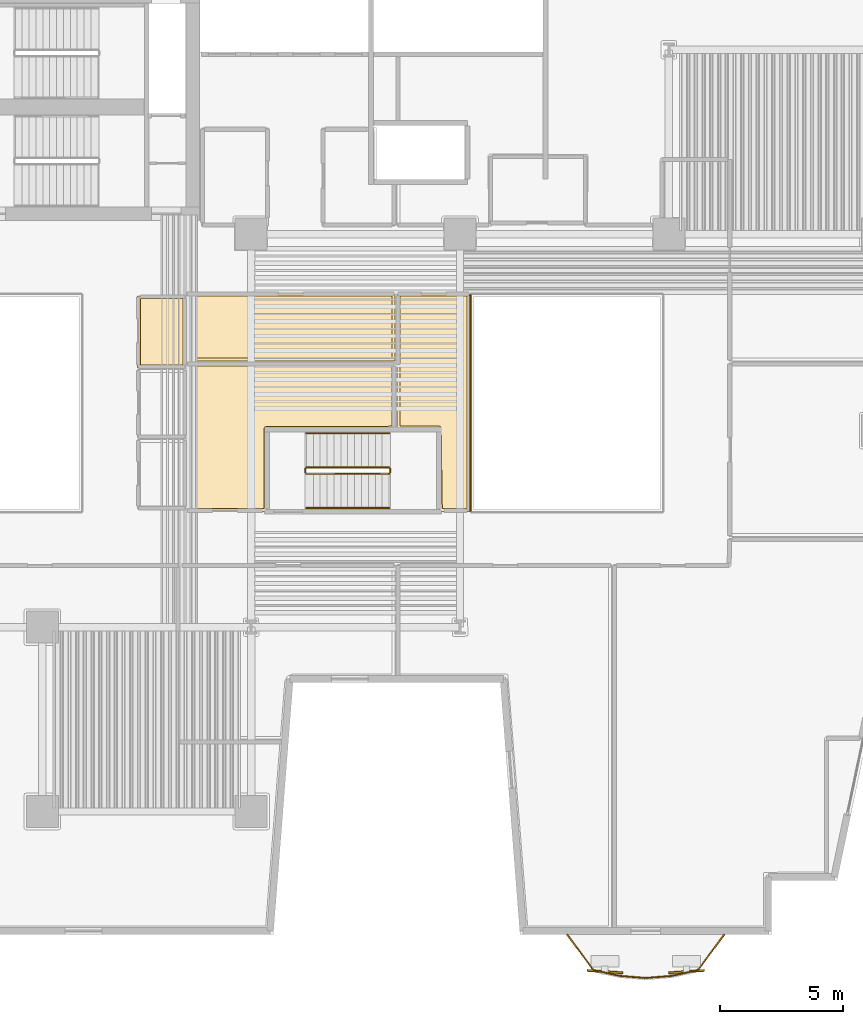
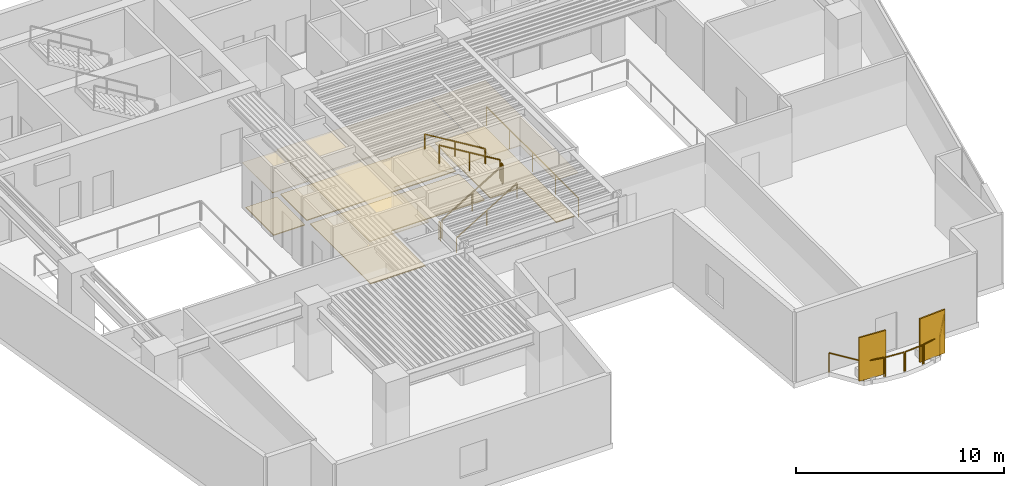
# One storey, part 8 of 11: 13 railings, 8 coverings, 2 shading devices.
"""IFC4 building model written with IfcOpenShell, lengths in metres."""

from ifc_helpers import new_model, si_unit, direction, frame, origin, origin_2d, place, context, subcontext, project, spatial, polyline, rectangle, outline, extrude, material, layer, layer_set, type_object, element, save


model = new_model("IFC4")

# Units and contexts
model_context = context("Model", 3, precision=1e-05, world=origin(), true_north=direction((0.0, 1.0)))
body_context = subcontext(model_context, "Body", "Model", "MODEL_VIEW")
ifc_project = project(units=[si_unit("LENGTHUNIT", "METRE"), si_unit("AREAUNIT", "SQUARE_METRE"), si_unit("VOLUMEUNIT", "CUBIC_METRE"), si_unit("PLANEANGLEUNIT", "RADIAN"), si_unit("MASSUNIT", "GRAM", prefix="KILO")], contexts=[model_context])

# Site, building, storey
site_placement = place(None, origin())
site = spatial("IfcSite", under=ifc_project, at=site_placement, CompositionType="ELEMENT")
building_placement = place(site_placement, origin())
building = spatial("IfcBuilding", under=site, at=building_placement, Name="Caeloran Harvest Quay", CompositionType="ELEMENT")
storey_placement = place(building_placement, frame((0.0, 0.0, 62.199951171875)))
storey = spatial("IfcBuildingStorey", under=building, at=storey_placement, Name="L14", CompositionType="ELEMENT", Elevation=62.199951171875)

# Coverings
ifc_material_1 = material(Name="Perforated Mineral-Fibre Acoustic Ceiling Tile", Category="ceiling")
ifc_layer_1 = layer(ifc_material_1, 0.0400390625, Name="Perforated Mineral-Fibre Acoustic Ceiling Tile")
ifc_layer_set_1 = layer_set([ifc_layer_1], Name="Perforated Mineral-Fibre Acoustic Ceiling Tile")
covering_type_1 = type_object("IfcCoveringType", Name="COV-CEILING-ACOUSTIC", PredefinedType="CEILING", material=ifc_layer_set_1)
covering_1_placement = place(storey_placement, frame((0.0, 0.0, 2.60009765625)))
element("IfcCovering", 1, at=covering_1_placement, inside=storey, type_object=covering_type_1, Name="L14 Male Washroom WC Acoustic Ceiling", PredefinedType="CEILING", context=body_context, shape_type="SweptSolid", body=[
    extrude(outline(polyline([(22.840087890625, 25.56005859375), (20.8701171875, 25.56005859375), (20.8701171875, 28.489990234375), (22.840087890625, 28.489990234375), (22.840087890625, 25.56005859375)])), origin(), (0.0, 0.0, 1.0), 0.0400390625),
])
covering_2_placement = place(storey_placement, frame((0.0, 0.0, 2.60009765625)))
element("IfcCovering", 2, at=covering_2_placement, inside=storey, type_object=covering_type_1, Name="Tea Blending Kitchen Acoustic Ceiling", PredefinedType="CEILING", context=body_context, shape_type="SweptSolid", body=[
    extrude(outline(polyline([(26.139892578125, 23.06005859375), (26.139892578125, 19.7099609375), (22.8701171875, 19.7099609375), (22.8701171875, 25.760009765625), (31.360107421875, 25.760009765625), (31.360107421875, 23.06005859375), (26.139892578125, 23.06005859375)])), origin(), (0.0, 0.0, 1.0), 0.0400390625),
])
covering_3_placement = place(storey_placement, frame((0.0, 0.0, 2.60009765625)))
element("IfcCovering", 3, at=covering_3_placement, inside=storey, type_object=covering_type_1, Name="Fermented Botanical Kitchen 8 Acoustic Ceiling", PredefinedType="CEILING", context=body_context, shape_type="SweptSolid", body=[
    extrude(outline(polyline([(31.43994140625, 28.610107421875), (34.409912109375, 28.610107421875), (34.409912109375, 19.7099609375), (33.160400390625, 19.7099609375), (33.13037109375, 23.06005859375), (31.43994140625, 23.06005859375), (31.43994140625, 28.610107421875)])), origin(), (0.0, 0.0, 1.0), 0.0400390625),
])
covering_4_placement = place(storey_placement, frame((0.0, 0.0, 2.60009765625)))
element("IfcCovering", 4, at=covering_4_placement, inside=storey, type_object=covering_type_1, Name="Hydroponic Culinary Kitchen 9 Acoustic Ceiling", PredefinedType="CEILING", context=body_context, shape_type="SweptSolid", body=[
    extrude(outline(polyline([(22.8701171875, 28.512939453125), (22.85009765625, 28.52001953125), (22.85009765625, 28.610107421875), (31.360107421875, 28.610107421875), (31.360107421875, 25.840087890625), (22.8701171875, 25.840087890625), (22.8701171875, 28.512939453125)])), origin(), (0.0, 0.0, 1.0), 0.0400390625),
])
ifc_material_2 = material(Name="Calcium-Sulphate Raised Access Floor and Terrazzo Finish", Category="flooring")
ifc_layer_2 = layer(ifc_material_2, 0.050048828125, Name="Calcium-Sulphate Raised Access Floor and Terrazzo Finish")
ifc_layer_set_2 = layer_set([ifc_layer_2], Name="Calcium-Sulphate Raised Access Floor and Terrazzo Finish")
covering_type_2 = type_object("IfcCoveringType", Name="COV-FLOOR-RAISED", PredefinedType="FLOORING", material=ifc_layer_set_2)
covering_5_placement = place(storey_placement, origin())
element("IfcCovering", 5, at=covering_5_placement, inside=storey, type_object=covering_type_2, Name="L14 Male Washroom WC Raised Finish Flooring", PredefinedType="FLOORING", context=body_context, shape_type="SweptSolid", body=[
    extrude(outline(polyline([(22.719970703125, 25.679931640625), (20.989990234375, 25.679931640625), (20.989990234375, 28.3701171875), (22.719970703125, 28.3701171875), (22.719970703125, 25.679931640625)])), origin(), (0.0, 0.0, 1.0), 0.050048828125),
])
covering_6_placement = place(storey_placement, origin())
element("IfcCovering", 6, at=covering_6_placement, inside=storey, type_object=covering_type_2, Name="Tea Blending Kitchen Raised Finish Flooring", PredefinedType="FLOORING", context=body_context, shape_type="SweptSolid", body=[
    extrude(outline(polyline([(26.101806640625, 23.17626953125), (26.04248046875, 23.13671875), (26.02001953125, 23.070068359375), (26.02001953125, 19.830078125), (22.989990234375, 19.830078125), (22.989990234375, 25.639892578125), (31.239990234375, 25.639892578125), (31.239990234375, 23.179931640625), (26.101806640625, 23.17626953125)])), origin(), (0.0, 0.0, 1.0), 0.050048828125),
])
covering_7_placement = place(storey_placement, origin())
element("IfcCovering", 7, at=covering_7_placement, inside=storey, type_object=covering_type_2, Name="Fermented Botanical Kitchen 8 Raised Finish Flooring", PredefinedType="FLOORING", context=body_context, shape_type="SweptSolid", body=[
    extrude(outline(polyline([(31.56005859375, 28.489990234375), (34.2900390625, 28.489990234375), (34.2900390625, 19.830078125), (33.279296875, 19.830078125), (33.231689453125, 23.151123046875), (33.169921875, 23.179931640625), (31.56005859375, 23.179931640625), (31.56005859375, 28.489990234375)])), origin(), (0.0, 0.0, 1.0), 0.050048828125),
])
covering_8_placement = place(storey_placement, origin())
element("IfcCovering", 8, at=covering_8_placement, inside=storey, type_object=covering_type_2, Name="Hydroponic Culinary Kitchen 9 Raised Finish Flooring", PredefinedType="FLOORING", context=body_context, shape_type="SweptSolid", body=[
    extrude(outline(polyline([(22.989990234375, 28.489990234375), (31.239990234375, 28.489990234375), (31.239990234375, 25.9599609375), (22.989990234375, 25.9599609375), (22.989990234375, 28.489990234375)])), origin(), (0.0, 0.0, 1.0), 0.050048828125),
])

# Railings
ifc_material_3 = material(Name="Powder-Coated Steel Post and Laminated Glass Guardrail", Category="steel")
ifc_layer_3 = layer(ifc_material_3, 0.06005859375, Name="Powder-Coated Steel Post and Laminated Glass Guardrail")
ifc_layer_set_3 = layer_set([ifc_layer_3], Name="Powder-Coated Steel Post and Laminated Glass Guardrail")
railing_type_1 = type_object("IfcRailingType", Name="GUARD-ATRIUM-1150", PredefinedType="GUARDRAIL", material=ifc_layer_set_3)
railing_1_placement = place(storey_placement, frame((34.429931640625, 28.5380859375, 0.0)))
element("IfcRailing", 9, at=railing_1_placement, inside=storey, type_object=railing_type_1, Name="L14 East Botanical Lightwell Guardrail Seg 4", PredefinedType="GUARDRAIL", context=body_context, shape_type="SweptSolid", body=[
    extrude(rectangle(XDim=0.048095703125, YDim=0.048095703125, at=origin_2d()), frame((0.0, 0.0, 1.1259765625), z_axis=(0.0, -1.0, 0.0), x_axis=(1.0, 0.0, 0.0)), (0.0, 0.0, 1.0), 8.826171875),
    extrude(rectangle(XDim=0.0419921875, YDim=0.0419921875, at=origin_2d()), origin(), (0.0, 0.0, 1.0), 1.101806640625),
    extrude(rectangle(XDim=0.0419921875, YDim=0.0419921875, at=origin_2d()), frame((0.0, -2.20654296875, 0.0)), (0.0, 0.0, 1.0), 1.101806640625),
    extrude(rectangle(XDim=0.0419921875, YDim=0.0419921875, at=origin_2d()), frame((0.0, -4.4130859375, 0.0)), (0.0, 0.0, 1.0), 1.101806640625),
    extrude(rectangle(XDim=0.0419921875, YDim=0.0419921875, at=origin_2d()), frame((0.0, -6.61962890625, 0.0)), (0.0, 0.0, 1.0), 1.101806640625),
    extrude(rectangle(XDim=0.0419921875, YDim=0.0419921875, at=origin_2d()), frame((0.0, -8.826171875, 0.0)), (0.0, 0.0, 1.0), 1.101806640625),
])
ifc_material_4 = material(Name="Laminated Safety Glass and Stainless Steel 316", Category="steel")
ifc_layer_4 = layer(ifc_material_4, 0.06005859375, Name="Laminated Safety Glass and Stainless Steel 316")
ifc_layer_set_4 = layer_set([ifc_layer_4], Name="Laminated Safety Glass and Stainless Steel 316")
railing_type_2 = type_object("IfcRailingType", Name="GUARD-BALUSTRADE-1150", PredefinedType="BALUSTRADE", material=ifc_layer_set_4)
railing_2_placement = place(storey_placement, frame((44.7509765625, 2.47998046875, 0.0)))
element("IfcRailing", 10, at=railing_2_placement, inside=storey, type_object=railing_type_2, Name="L14 Planted Balcony Perimeter Balustrade Guard Seg 1", PredefinedType="BALUSTRADE", context=body_context, shape_type="SweptSolid", body=[
    extrude(rectangle(XDim=0.048095703125, YDim=0.048095703125, at=origin_2d()), frame((0.0, 0.0, 1.1259765625), z_axis=(-0.595716634927, -0.803194678065, 0.0), x_axis=(0.803194678065, -0.595716634927, 0.0)), (0.0, 0.0, 1.0), 1.75439453125),
    extrude(rectangle(XDim=0.0419921875, YDim=0.0419921875, at=origin_2d()), origin(), (0.0, 0.0, 1.0), 1.101806640625),
    extrude(rectangle(XDim=0.0419921875, YDim=0.0419921875, at=origin_2d()), frame((-1.045166015625, -1.4091796875, 0.0)), (0.0, 0.0, 1.0), 1.101806640625),
])
railing_3_placement = place(storey_placement, frame((43.655517578125, 1.0380859375, 0.0)))
element("IfcRailing", 11, at=railing_3_placement, inside=storey, type_object=railing_type_2, Name="L14 Planted Balcony Perimeter Balustrade Guard Seg 2", PredefinedType="BALUSTRADE", context=body_context, shape_type="SweptSolid", body=[
    extrude(rectangle(XDim=0.048095703125, YDim=0.048095703125, at=origin_2d()), frame((0.0, 0.0, 1.1259765625), z_axis=(-0.975923301752, -0.218113981893, 0.0), x_axis=(0.218113981893, -0.975923301752, 0.0)), (0.0, 0.0, 1.0), 1.0263671875),
    extrude(rectangle(XDim=0.0419921875, YDim=0.0419921875, at=origin_2d()), origin(), (0.0, 0.0, 1.0), 1.101806640625),
    extrude(rectangle(XDim=0.0419921875, YDim=0.0419921875, at=origin_2d()), frame((-1.001708984375, -0.223876953125, 0.0)), (0.0, 0.0, 1.0), 1.101806640625),
])
railing_4_placement = place(storey_placement, frame((42.5908203125, 0.804443359375, 0.0)))
element("IfcRailing", 12, at=railing_4_placement, inside=storey, type_object=railing_type_2, Name="L14 Planted Balcony Perimeter Balustrade Guard Seg 3", PredefinedType="BALUSTRADE", context=body_context, shape_type="SweptSolid", body=[
    extrude(rectangle(XDim=0.048095703125, YDim=0.048095703125, at=origin_2d()), frame((0.0, 0.0, 1.1259765625), z_axis=(-0.996675351888, -0.0814754131, 0.0), x_axis=(0.0814754131, -0.996675351888, 0.0)), (0.0, 0.0, 1.0), 1.00390625),
    extrude(rectangle(XDim=0.0419921875, YDim=0.0419921875, at=origin_2d()), origin(), (0.0, 0.0, 1.0), 1.101806640625),
    extrude(rectangle(XDim=0.0419921875, YDim=0.0419921875, at=origin_2d()), frame((-1.00048828125, -0.081787109375, 0.0)), (0.0, 0.0, 1.0), 1.101806640625),
])
railing_5_placement = place(storey_placement, frame((41.526611328125, 0.72265625, 0.0)))
element("IfcRailing", 13, at=railing_5_placement, inside=storey, type_object=railing_type_2, Name="L14 Planted Balcony Perimeter Balustrade Guard Seg 4", PredefinedType="BALUSTRADE", context=body_context, shape_type="SweptSolid", body=[
    extrude(rectangle(XDim=0.048095703125, YDim=0.048095703125, at=origin_2d()), frame((0.0, 0.0, 1.1259765625), z_axis=(-0.996675351888, 0.0814754131, 0.0), x_axis=(-0.0814754131, -0.996675351888, 0.0)), (0.0, 0.0, 1.0), 1.00390625),
    extrude(rectangle(XDim=0.0419921875, YDim=0.0419921875, at=origin_2d()), origin(), (0.0, 0.0, 1.0), 1.101806640625),
    extrude(rectangle(XDim=0.0419921875, YDim=0.0419921875, at=origin_2d()), frame((-1.00048828125, 0.081787109375, 0.0)), (0.0, 0.0, 1.0), 1.101806640625),
])
railing_6_placement = place(storey_placement, frame((40.463134765625, 0.814208984375, 0.0)))
element("IfcRailing", 14, at=railing_6_placement, inside=storey, type_object=railing_type_2, Name="L14 Planted Balcony Perimeter Balustrade Guard Seg 5", PredefinedType="BALUSTRADE", context=body_context, shape_type="SweptSolid", body=[
    extrude(rectangle(XDim=0.048095703125, YDim=0.048095703125, at=origin_2d()), frame((0.0, 0.0, 1.1259765625), z_axis=(-0.975923301752, 0.218113981893, 0.0), x_axis=(-0.218113981893, -0.975923301752, 0.0)), (0.0, 0.0, 1.0), 1.0263671875),
    extrude(rectangle(XDim=0.0419921875, YDim=0.0419921875, at=origin_2d()), origin(), (0.0, 0.0, 1.0), 1.101806640625),
    extrude(rectangle(XDim=0.0419921875, YDim=0.0419921875, at=origin_2d()), frame((-1.001708984375, 0.223876953125, 0.0)), (0.0, 0.0, 1.0), 1.101806640625),
])
railing_7_placement = place(storey_placement, frame((39.4111328125, 1.07080078125, 0.0)))
element("IfcRailing", 15, at=railing_7_placement, inside=storey, type_object=railing_type_2, Name="L14 Planted Balcony Perimeter Balustrade Guard Seg 6", PredefinedType="BALUSTRADE", context=body_context, shape_type="SweptSolid", body=[
    extrude(rectangle(XDim=0.048095703125, YDim=0.048095703125, at=origin_2d()), frame((0.0, 0.0, 1.1259765625), z_axis=(-0.595716634927, 0.803194678065, 0.0), x_axis=(-0.803194678065, -0.595716634927, 0.0)), (0.0, 0.0, 1.0), 1.75439453125),
    extrude(rectangle(XDim=0.0419921875, YDim=0.0419921875, at=origin_2d()), origin(), (0.0, 0.0, 1.0), 1.101806640625),
    extrude(rectangle(XDim=0.0419921875, YDim=0.0419921875, at=origin_2d()), frame((-1.045166015625, 1.4091796875, 0.0)), (0.0, 0.0, 1.0), 1.101806640625),
])

# Shading devices
ifc_material_5 = material(Name="3003-H14 Perforated Powder-Coated Aluminium", Category="aluminium")
shading_device_type = type_object("IfcShadingDeviceType", Name="SHADE-SCREEN-FOLDED", PredefinedType="USERDEFINED", material=ifc_material_5)
for number, where, z_axis, x_axis, name in (
    (16, (43.218505859375, 0.97998046875, 0.0751953125), (0.0, 0.0, 1.0), (0.997801468292, 0.0662739004, 0.0), "L14 Folded Facade Breathing Screen 1"),
    (17, (39.8984375, 0.97998046875, 0.0751953125), (0.0, 0.0, 1.0), (0.997801468292, -0.0662739004, 0.0), "L14 Folded Facade Breathing Screen 2"),
):
    element("IfcShadingDevice", number, at=place(storey_placement, frame(where, z_axis=z_axis, x_axis=x_axis)), inside=storey, type_object=shading_device_type, Name=name, ObjectType="SCREEN", PredefinedType="USERDEFINED", context=body_context, shape_type="SweptSolid", body=[
        extrude(rectangle(XDim=1.449951171875, YDim=0.080078125, at=origin_2d()), origin(), (0.0, 0.0, 1.0), 2.550048828125),
    ])

# Railings
ifc_material_6 = material(Name="Painted Steel Baluster and Top-Rail Stair Guard", Category="steel")
ifc_layer_5 = layer(ifc_material_6, 0.050048828125, Name="Painted Steel Baluster and Top-Rail Stair Guard")
ifc_layer_set_5 = layer_set([ifc_layer_5], Name="Painted Steel Baluster and Top-Rail Stair Guard")
railing_type_3 = type_object("IfcRailingType", Name="STAIR-GUARD-1100", PredefinedType="GUARDRAIL", material=ifc_layer_set_5)
railing_8_placement = place(storey_placement, frame((27.75, 21.25, 0.169189453125)))
element("IfcRailing", 18, at=railing_8_placement, inside=storey, type_object=railing_type_3, Name="L14 ST-W1 stair guard 1", PredefinedType="GUARDRAIL", context=body_context, shape_type="SweptSolid", body=[
    extrude(rectangle(XDim=0.048095703125, YDim=0.048095703125, at=origin_2d()), frame((0.0, 0.0, 1.076171875), z_axis=(0.855836976705, 0.0, 0.517245656632), x_axis=(0.0, 1.0, 0.0)), (0.0, 0.0, 1.0), 3.926025390625),
    extrude(rectangle(XDim=0.0419921875, YDim=0.0419921875, at=origin_2d()), origin(), (0.0, 0.0, 1.0), 1.052001953125),
    extrude(rectangle(XDim=0.0419921875, YDim=0.0419921875, at=origin_2d()), frame((1.68017578125, 0.0, 1.015380859375)), (0.0, 0.0, 1.0), 1.052001953125),
    extrude(rectangle(XDim=0.0419921875, YDim=0.0419921875, at=origin_2d()), frame((3.360107421875, 0.0, 2.03076171875)), (0.0, 0.0, 1.0), 1.052001953125),
])
railing_9_placement = place(storey_placement, frame((31.159912109375, 21.300048828125, 2.199951171875)))
element("IfcRailing", 19, at=railing_9_placement, inside=storey, type_object=railing_type_3, Name="L14 ST-W1 stair guard 2", PredefinedType="GUARDRAIL", context=body_context, shape_type="SweptSolid", body=[
    extrude(rectangle(XDim=0.048095703125, YDim=0.048095703125, at=origin_2d()), frame((0.0, 0.0, 1.076171875), z_axis=(0.0, 1.0, 0.0), x_axis=(-1.0, 0.0, 0.0)), (0.0, 0.0, 1.0), 0.14990234375),
    extrude(rectangle(XDim=0.0419921875, YDim=0.0419921875, at=origin_2d()), origin(), (0.0, 0.0, 1.0), 1.052001953125),
    extrude(rectangle(XDim=0.0419921875, YDim=0.0419921875, at=origin_2d()), frame((0.0, 0.14990234375, 0.0)), (0.0, 0.0, 1.0), 1.052001953125),
])
railing_10_placement = place(storey_placement, frame((31.110107421875, 21.5, 2.369384765625)))
element("IfcRailing", 20, at=railing_10_placement, inside=storey, type_object=railing_type_3, Name="L14 ST-W1 stair guard 3", PredefinedType="GUARDRAIL", context=body_context, shape_type="SweptSolid", body=[
    extrude(rectangle(XDim=0.048095703125, YDim=0.048095703125, at=origin_2d()), frame((0.0, 0.0, 1.076171875), z_axis=(-0.855836976705, 0.0, 0.517245656632), x_axis=(0.0, -1.0, 0.0)), (0.0, 0.0, 1.0), 3.926025390625),
    extrude(rectangle(XDim=0.0419921875, YDim=0.0419921875, at=origin_2d()), origin(), (0.0, 0.0, 1.0), 1.052001953125),
    extrude(rectangle(XDim=0.0419921875, YDim=0.0419921875, at=origin_2d()), frame((-1.68017578125, 0.0, 1.015380859375)), (0.0, 0.0, 1.0), 1.052001953125),
    extrude(rectangle(XDim=0.0419921875, YDim=0.0419921875, at=origin_2d()), frame((-3.360107421875, 0.0, 2.03076171875)), (0.0, 0.0, 1.0), 1.052001953125),
])
railing_11_placement = place(storey_placement, frame((27.699951171875, 21.300048828125, 0.0)))
element("IfcRailing", 21, at=railing_11_placement, inside=storey, type_object=railing_type_3, Name="L14 ST-W1 stair guard 4", PredefinedType="GUARDRAIL", context=body_context, shape_type="SweptSolid", body=[
    extrude(rectangle(XDim=0.048095703125, YDim=0.048095703125, at=origin_2d()), frame((0.0, 0.0, 1.076171875), z_axis=(0.0, 1.0, 0.0), x_axis=(-1.0, 0.0, 0.0)), (0.0, 0.0, 1.0), 0.14990234375),
    extrude(rectangle(XDim=0.0419921875, YDim=0.0419921875, at=origin_2d()), origin(), (0.0, 0.0, 1.0), 1.052001953125),
    extrude(rectangle(XDim=0.0419921875, YDim=0.0419921875, at=origin_2d()), frame((0.0, 0.14990234375, 0.0)), (0.0, 0.0, 1.0), 1.052001953125),
])
ifc_material_7 = material(Name="Brushed Stainless Steel Grade 304", Category="steel")
ifc_layer_6 = layer(ifc_material_7, 0.050048828125, Name="Brushed Stainless Steel Grade 304")
ifc_layer_set_6 = layer_set([ifc_layer_6], Name="Brushed Stainless Steel Grade 304")
railing_type_4 = type_object("IfcRailingType", Name="STAIR-HANDRAIL-900", PredefinedType="HANDRAIL", material=ifc_layer_set_6)
railing_12_placement = place(storey_placement, frame((27.75, 19.85009765625, 0.169189453125)))
element("IfcRailing", 22, at=railing_12_placement, inside=storey, type_object=railing_type_4, Name="L14 ST-W1 stair handrail 1", PredefinedType="HANDRAIL", context=body_context, shape_type="SweptSolid", body=[
    extrude(rectangle(XDim=0.048095703125, YDim=0.048095703125, at=origin_2d()), frame((0.0, 0.0, 0.8759765625), z_axis=(0.855836976705, 0.0, 0.517245656632), x_axis=(0.0, 1.0, 0.0)), (0.0, 0.0, 1.0), 3.926025390625),
    extrude(rectangle(XDim=0.0419921875, YDim=0.0419921875, at=origin_2d()), origin(), (0.0, 0.0, 1.0), 0.851806640625),
    extrude(rectangle(XDim=0.0419921875, YDim=0.0419921875, at=origin_2d()), frame((1.68017578125, 0.0, 1.015380859375)), (0.0, 0.0, 1.0), 0.851806640625),
    extrude(rectangle(XDim=0.0419921875, YDim=0.0419921875, at=origin_2d()), frame((3.360107421875, 0.0, 2.03076171875)), (0.0, 0.0, 1.0), 0.851806640625),
])
railing_13_placement = place(storey_placement, frame((31.110107421875, 22.89990234375, 2.369384765625)))
element("IfcRailing", 23, at=railing_13_placement, inside=storey, type_object=railing_type_4, Name="L14 ST-W1 stair handrail 2", PredefinedType="HANDRAIL", context=body_context, shape_type="SweptSolid", body=[
    extrude(rectangle(XDim=0.048095703125, YDim=0.048095703125, at=origin_2d()), frame((0.0, 0.0, 0.8759765625), z_axis=(-0.855836976705, 0.0, 0.517245656632), x_axis=(0.0, -1.0, 0.0)), (0.0, 0.0, 1.0), 3.926025390625),
    extrude(rectangle(XDim=0.0419921875, YDim=0.0419921875, at=origin_2d()), origin(), (0.0, 0.0, 1.0), 0.851806640625),
    extrude(rectangle(XDim=0.0419921875, YDim=0.0419921875, at=origin_2d()), frame((-1.68017578125, 0.0, 1.015380859375)), (0.0, 0.0, 1.0), 0.851806640625),
    extrude(rectangle(XDim=0.0419921875, YDim=0.0419921875, at=origin_2d()), frame((-3.360107421875, 0.0, 2.03076171875)), (0.0, 0.0, 1.0), 0.851806640625),
])

save(model, "model.ifc")
